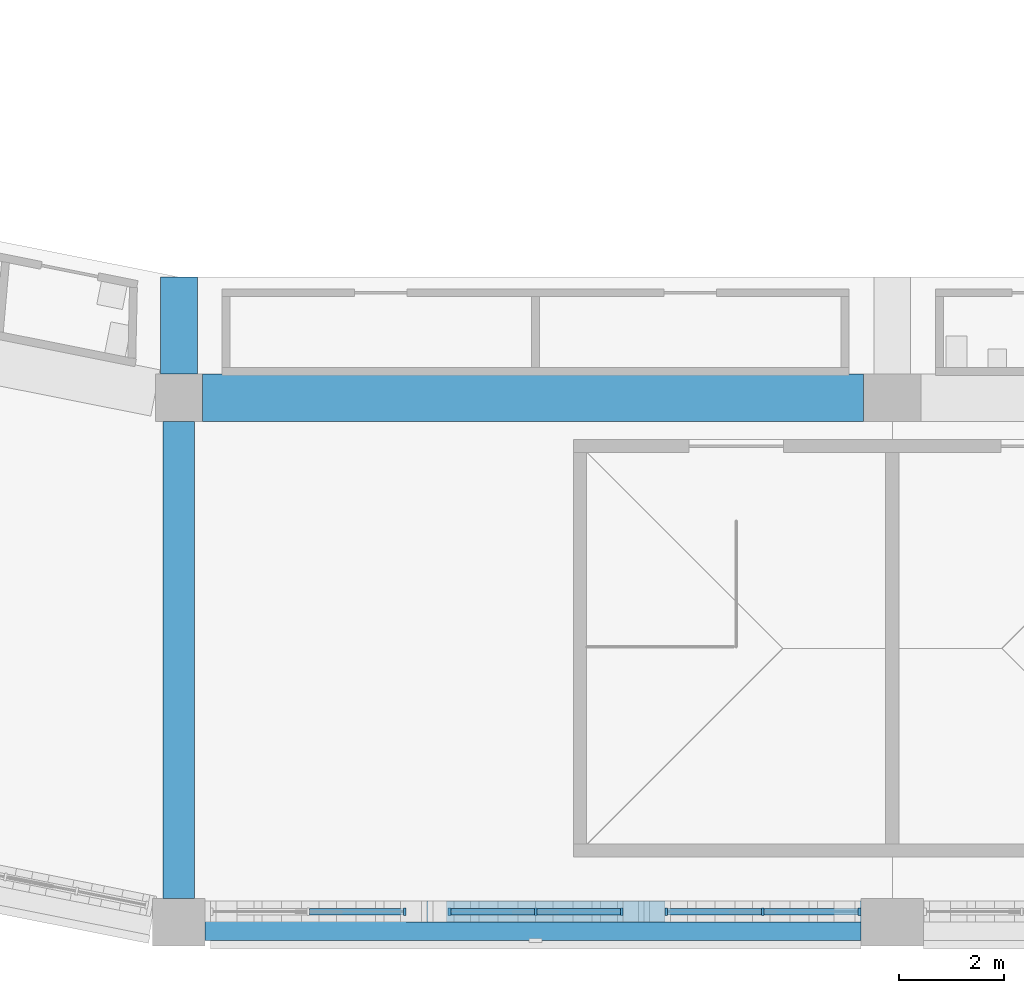
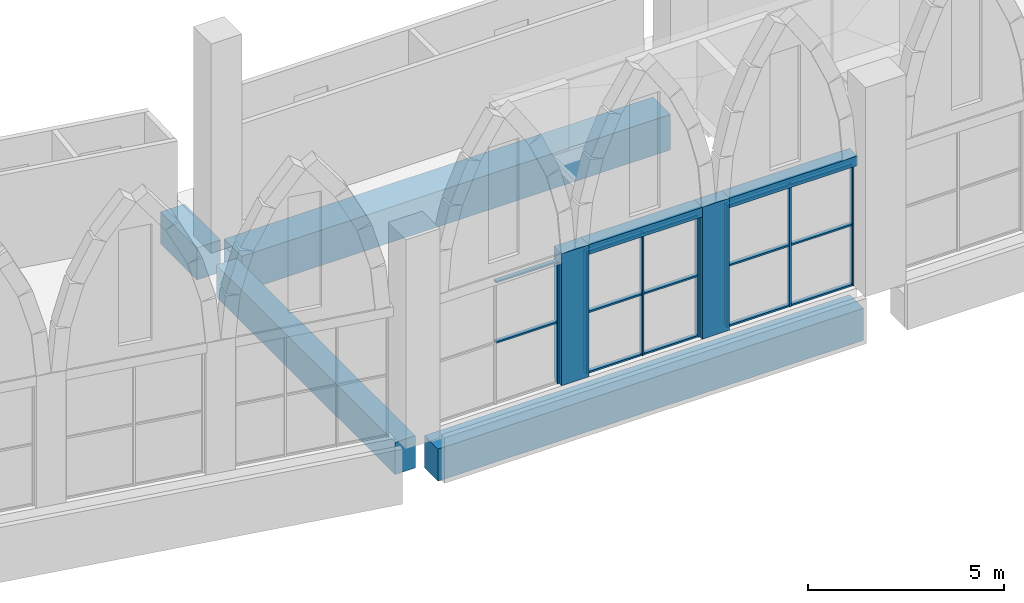
# One storey, part 6 of 130: 23 members, 6 beams, 3 elements without a shape of their own.
"""IFC4 building model written with IfcOpenShell, lengths in metres."""

from ifc_helpers import new_model, si_unit, direction, frame, origin, origin_2d, place, context, subcontext, project, spatial, rectangle, extrude, material, material_profile, profile_set, type_object, element, aggregate, save


model = new_model("IFC4")

# Units and contexts
model_context = context("Model", 3, precision=1e-05, world=origin(), true_north=direction((0.0, 1.0)))
body_context = subcontext(model_context, "Body", "Model", "MODEL_VIEW")
ifc_project = project(units=[si_unit("LENGTHUNIT", "METRE"), si_unit("AREAUNIT", "SQUARE_METRE"), si_unit("VOLUMEUNIT", "CUBIC_METRE"), si_unit("PLANEANGLEUNIT", "RADIAN"), si_unit("MASSUNIT", "GRAM", prefix="KILO")], contexts=[model_context])

# Site, building, storey
site_placement = place(None, origin())
site = spatial("IfcSite", under=ifc_project, at=site_placement, CompositionType="ELEMENT")
building_placement = place(site_placement, origin())
building = spatial("IfcBuilding", under=site, at=building_placement, Name="Ogive Plaza Stadium", CompositionType="ELEMENT")
storey_placement = place(building_placement, frame((0.0, 0.0, 22.5)))
storey = spatial("IfcBuildingStorey", under=building, at=storey_placement, Name="L05", CompositionType="ELEMENT", Elevation=22.5)

# Curtain wall, members
ifc_material_1 = material(Name="Bronze-anodised aluminium with laminated glass", Category="aluminium")
curtain_wall_type = type_object("IfcCurtainWallType", Name="Lancet curtain wall", PredefinedType="NOTDEFINED", material=ifc_material_1)
curtain_wall_1_placement = place(storey_placement, origin())
curtain_wall_1 = element("IfcCurtainWall", 1, at=curtain_wall_1_placement, inside=storey, type_object=curtain_wall_type, Name="CURTAIN WALL B16 L05", PredefinedType="NOTDEFINED")
ifc_material_2 = material(Name="Bronze-anodised aluminium", Category="aluminium")
ifc_material_profile_1 = material_profile(ifc_material_2, rectangle(XDim=0.14990234375, YDim=0.050048828125, at=origin_2d()), Name="AL 150x50")
ifc_profile_set_1 = profile_set([ifc_material_profile_1], Name="Bronze-anodised aluminium")
member_type_1 = type_object("IfcMemberType", Name="Curtain wall mullion 50x150", PredefinedType="MULLION", material=ifc_profile_set_1)
member_1_placement = place(storey_placement, frame((-21.02490234375, -102.300048828125, 0.0), z_axis=(0.0, 0.0, 1.0), x_axis=(0.0, -1.0, 0.0)))
member_1 = element("IfcMember", 2, at=member_1_placement, type_object=member_type_1, Name="CW-B16-L05.1 mullion 1", PredefinedType="MULLION", context=body_context, shape_type="SweptSolid", body=[
    extrude(rectangle(XDim=0.14990234375, YDim=0.050048828125, at=origin_2d()), origin(), (0.0, 0.0, 1.0), 3.800048828125),
])
member_2_placement = place(storey_placement, frame((-22.86669921875, -102.300048828125, 0.0), z_axis=(0.0, 0.0, 1.0), x_axis=(0.0, -1.0, 0.0)))
member_2 = element("IfcMember", 3, at=member_2_placement, type_object=member_type_1, Name="CW-B16-L05.1 mullion 2", PredefinedType="MULLION", context=body_context, shape_type="SweptSolid", body=[
    extrude(rectangle(XDim=0.14990234375, YDim=0.050048828125, at=origin_2d()), origin(), (0.0, 0.0, 1.0), 3.800048828125),
])
member_3_placement = place(storey_placement, frame((-24.708251953125, -102.300048828125, 0.0), z_axis=(0.0, 0.0, 1.0), x_axis=(0.0, -1.0, 0.0)))
member_3 = element("IfcMember", 4, at=member_3_placement, type_object=member_type_1, Name="CW-B16-L05.1 mullion 3", PredefinedType="MULLION", context=body_context, shape_type="SweptSolid", body=[
    extrude(rectangle(XDim=0.14990234375, YDim=0.050048828125, at=origin_2d()), origin(), (0.0, 0.0, 1.0), 3.800048828125),
])

curtain_wall_2_placement = place(storey_placement, origin())
curtain_wall_2 = element("IfcCurtainWall", 5, at=curtain_wall_2_placement, inside=storey, type_object=curtain_wall_type, Name="CURTAIN WALL B16 L05", PredefinedType="NOTDEFINED")
member_4_placement = place(storey_placement, frame((-25.558349609375, -102.300048828125, 0.0), z_axis=(0.0, 0.0, 1.0), x_axis=(0.0, -1.0, 0.0)))
member_4 = element("IfcMember", 6, at=member_4_placement, type_object=member_type_1, Name="CW-B16-L05.2 mullion 1", PredefinedType="MULLION", context=body_context, shape_type="SweptSolid", body=[
    extrude(rectangle(XDim=0.14990234375, YDim=0.050048828125, at=origin_2d()), origin(), (0.0, 0.0, 1.0), 3.800048828125),
])
member_5_placement = place(storey_placement, frame((-27.199951171875, -102.300048828125, 0.0), z_axis=(0.0, 0.0, 1.0), x_axis=(0.0, -1.0, 0.0)))
member_5 = element("IfcMember", 7, at=member_5_placement, type_object=member_type_1, Name="CW-B16-L05.2 mullion 2", PredefinedType="MULLION", context=body_context, shape_type="SweptSolid", body=[
    extrude(rectangle(XDim=0.14990234375, YDim=0.050048828125, at=origin_2d()), origin(), (0.0, 0.0, 1.0), 3.800048828125),
])
member_6_placement = place(storey_placement, frame((-28.841552734375, -102.300048828125, 0.0), z_axis=(0.0, 0.0, 1.0), x_axis=(0.0, -1.0, 0.0)))
member_6 = element("IfcMember", 8, at=member_6_placement, type_object=member_type_1, Name="CW-B16-L05.2 mullion 3", PredefinedType="MULLION", context=body_context, shape_type="SweptSolid", body=[
    extrude(rectangle(XDim=0.14990234375, YDim=0.050048828125, at=origin_2d()), origin(), (0.0, 0.0, 1.0), 3.800048828125),
])

# Curtain wall, member
curtain_wall_3_placement = place(storey_placement, origin())
curtain_wall_3 = element("IfcCurtainWall", 9, at=curtain_wall_3_placement, inside=storey, type_object=curtain_wall_type, Name="CURTAIN WALL B16 L05", PredefinedType="NOTDEFINED")
member_7_placement = place(storey_placement, frame((-29.691650390625, -102.300048828125, 0.0), z_axis=(0.0, 0.0, 1.0), x_axis=(0.0, -1.0, 0.0)))
member_7 = element("IfcMember", 10, at=member_7_placement, type_object=member_type_1, Name="CW-B16-L05.3 mullion 1", PredefinedType="MULLION", context=body_context, shape_type="SweptSolid", body=[
    extrude(rectangle(XDim=0.14990234375, YDim=0.050048828125, at=origin_2d()), origin(), (0.0, 0.0, 1.0), 3.800048828125),
])

# Member
ifc_material_3 = material(Name="Bronze-anodised aluminium", Category="aluminium")
ifc_material_profile_2 = material_profile(ifc_material_3, rectangle(XDim=0.1201171875, YDim=0.050048828125, at=origin_2d()), Name="AL 120x50")
ifc_profile_set_2 = profile_set([ifc_material_profile_2], Name="Bronze-anodised aluminium")
member_type_2 = type_object("IfcMemberType", Name="Curtain wall transom 50x120", PredefinedType="USERDEFINED", material=ifc_profile_set_2)
member_8_placement = place(storey_placement, frame((-21.050048828125, -102.300048828125, 0.02490234375), z_axis=(-1.0, 0.0, 0.0), x_axis=(0.0, -1.0, 0.0)))
member_8 = element("IfcMember", 11, at=member_8_placement, type_object=member_type_2, Name="CW-B16-L05.1 transom 1.1", ObjectType="TRANSOM", PredefinedType="USERDEFINED", context=body_context, shape_type="SweptSolid", body=[
    extrude(rectangle(XDim=0.1201171875, YDim=0.050048828125, at=origin_2d()), origin(), (0.0, 0.0, 1.0), 1.79150390625),
])

member_9_placement = place(storey_placement, frame((-21.050048828125, -102.300048828125, 1.89990234375), z_axis=(-1.0, 0.0, 0.0), x_axis=(0.0, -1.0, 0.0)))
member_9 = element("IfcMember", 12, at=member_9_placement, type_object=member_type_2, Name="CW-B16-L05.1 transom 1.2", ObjectType="TRANSOM", PredefinedType="USERDEFINED", context=body_context, shape_type="SweptSolid", body=[
    extrude(rectangle(XDim=0.1201171875, YDim=0.050048828125, at=origin_2d()), origin(), (0.0, 0.0, 1.0), 1.79150390625),
])

member_10_placement = place(storey_placement, frame((-21.050048828125, -102.300048828125, 3.77490234375), z_axis=(-1.0, 0.0, 0.0), x_axis=(0.0, -1.0, 0.0)))
member_10 = element("IfcMember", 13, at=member_10_placement, type_object=member_type_2, Name="CW-B16-L05.1 transom 1.3", ObjectType="TRANSOM", PredefinedType="USERDEFINED", context=body_context, shape_type="SweptSolid", body=[
    extrude(rectangle(XDim=0.1201171875, YDim=0.050048828125, at=origin_2d()), origin(), (0.0, 0.0, 1.0), 1.79150390625),
])

member_11_placement = place(storey_placement, frame((-22.8916015625, -102.300048828125, 0.02490234375), z_axis=(-1.0, 0.0, 0.0), x_axis=(0.0, -1.0, 0.0)))
member_11 = element("IfcMember", 14, at=member_11_placement, type_object=member_type_2, Name="CW-B16-L05.1 transom 2.1", ObjectType="TRANSOM", PredefinedType="USERDEFINED", context=body_context, shape_type="SweptSolid", body=[
    extrude(rectangle(XDim=0.1201171875, YDim=0.050048828125, at=origin_2d()), origin(), (0.0, 0.0, 1.0), 1.791748046875),
])

member_12_placement = place(storey_placement, frame((-22.8916015625, -102.300048828125, 1.89990234375), z_axis=(-1.0, 0.0, 0.0), x_axis=(0.0, -1.0, 0.0)))
member_12 = element("IfcMember", 15, at=member_12_placement, type_object=member_type_2, Name="CW-B16-L05.1 transom 2.2", ObjectType="TRANSOM", PredefinedType="USERDEFINED", context=body_context, shape_type="SweptSolid", body=[
    extrude(rectangle(XDim=0.1201171875, YDim=0.050048828125, at=origin_2d()), origin(), (0.0, 0.0, 1.0), 1.791748046875),
])

member_13_placement = place(storey_placement, frame((-22.8916015625, -102.300048828125, 3.77490234375), z_axis=(-1.0, 0.0, 0.0), x_axis=(0.0, -1.0, 0.0)))
member_13 = element("IfcMember", 16, at=member_13_placement, type_object=member_type_2, Name="CW-B16-L05.1 transom 2.3", ObjectType="TRANSOM", PredefinedType="USERDEFINED", context=body_context, shape_type="SweptSolid", body=[
    extrude(rectangle(XDim=0.1201171875, YDim=0.050048828125, at=origin_2d()), origin(), (0.0, 0.0, 1.0), 1.791748046875),
])

aggregate(curtain_wall_1, [member_1, member_2, member_3, member_8, member_9, member_10, member_11, member_12, member_13])

member_14_placement = place(storey_placement, frame((-25.583251953125, -102.300048828125, 0.02490234375), z_axis=(-1.0, 0.0, 0.0), x_axis=(0.0, -1.0, 0.0)))
member_14 = element("IfcMember", 17, at=member_14_placement, type_object=member_type_2, Name="CW-B16-L05.2 transom 1.1", ObjectType="TRANSOM", PredefinedType="USERDEFINED", context=body_context, shape_type="SweptSolid", body=[
    extrude(rectangle(XDim=0.1201171875, YDim=0.050048828125, at=origin_2d()), origin(), (0.0, 0.0, 1.0), 1.591796875),
])

member_15_placement = place(storey_placement, frame((-25.583251953125, -102.300048828125, 1.89990234375), z_axis=(-1.0, 0.0, 0.0), x_axis=(0.0, -1.0, 0.0)))
member_15 = element("IfcMember", 18, at=member_15_placement, type_object=member_type_2, Name="CW-B16-L05.2 transom 1.2", ObjectType="TRANSOM", PredefinedType="USERDEFINED", context=body_context, shape_type="SweptSolid", body=[
    extrude(rectangle(XDim=0.1201171875, YDim=0.050048828125, at=origin_2d()), origin(), (0.0, 0.0, 1.0), 1.591796875),
])

member_16_placement = place(storey_placement, frame((-25.583251953125, -102.300048828125, 3.77490234375), z_axis=(-1.0, 0.0, 0.0), x_axis=(0.0, -1.0, 0.0)))
member_16 = element("IfcMember", 19, at=member_16_placement, type_object=member_type_2, Name="CW-B16-L05.2 transom 1.3", ObjectType="TRANSOM", PredefinedType="USERDEFINED", context=body_context, shape_type="SweptSolid", body=[
    extrude(rectangle(XDim=0.1201171875, YDim=0.050048828125, at=origin_2d()), origin(), (0.0, 0.0, 1.0), 1.591796875),
])

member_17_placement = place(storey_placement, frame((-27.22509765625, -102.300048828125, 0.02490234375), z_axis=(-1.0, 0.0, 0.0), x_axis=(0.0, -1.0, 0.0)))
member_17 = element("IfcMember", 20, at=member_17_placement, type_object=member_type_2, Name="CW-B16-L05.2 transom 2.1", ObjectType="TRANSOM", PredefinedType="USERDEFINED", context=body_context, shape_type="SweptSolid", body=[
    extrude(rectangle(XDim=0.1201171875, YDim=0.050048828125, at=origin_2d()), origin(), (0.0, 0.0, 1.0), 1.591552734375),
])

member_18_placement = place(storey_placement, frame((-27.22509765625, -102.300048828125, 1.89990234375), z_axis=(-1.0, 0.0, 0.0), x_axis=(0.0, -1.0, 0.0)))
member_18 = element("IfcMember", 21, at=member_18_placement, type_object=member_type_2, Name="CW-B16-L05.2 transom 2.2", ObjectType="TRANSOM", PredefinedType="USERDEFINED", context=body_context, shape_type="SweptSolid", body=[
    extrude(rectangle(XDim=0.1201171875, YDim=0.050048828125, at=origin_2d()), origin(), (0.0, 0.0, 1.0), 1.591552734375),
])

member_19_placement = place(storey_placement, frame((-27.22509765625, -102.300048828125, 3.77490234375), z_axis=(-1.0, 0.0, 0.0), x_axis=(0.0, -1.0, 0.0)))
member_19 = element("IfcMember", 22, at=member_19_placement, type_object=member_type_2, Name="CW-B16-L05.2 transom 2.3", ObjectType="TRANSOM", PredefinedType="USERDEFINED", context=body_context, shape_type="SweptSolid", body=[
    extrude(rectangle(XDim=0.1201171875, YDim=0.050048828125, at=origin_2d()), origin(), (0.0, 0.0, 1.0), 1.591552734375),
])

aggregate(curtain_wall_2, [member_4, member_5, member_6, member_14, member_15, member_16, member_17, member_18, member_19])

member_20_placement = place(storey_placement, frame((-29.716552734375, -102.300048828125, 1.89990234375), z_axis=(-1.0, 0.0, 0.0), x_axis=(0.0, -1.0, 0.0)))
member_20 = element("IfcMember", 23, at=member_20_placement, type_object=member_type_2, Name="CW-B16-L05.3 transom 1.2", ObjectType="TRANSOM", PredefinedType="USERDEFINED", context=body_context, shape_type="SweptSolid", body=[
    extrude(rectangle(XDim=0.1201171875, YDim=0.050048828125, at=origin_2d()), origin(), (0.0, 0.0, 1.0), 1.791748046875),
])

member_21_placement = place(storey_placement, frame((-29.716552734375, -102.300048828125, 3.77490234375), z_axis=(-1.0, 0.0, 0.0), x_axis=(0.0, -1.0, 0.0)))
member_21 = element("IfcMember", 24, at=member_21_placement, type_object=member_type_2, Name="CW-B16-L05.3 transom 1.3", ObjectType="TRANSOM", PredefinedType="USERDEFINED", context=body_context, shape_type="SweptSolid", body=[
    extrude(rectangle(XDim=0.1201171875, YDim=0.050048828125, at=origin_2d()), origin(), (0.0, 0.0, 1.0), 1.791748046875),
])

aggregate(curtain_wall_3, [member_7, member_20, member_21])

# Members
ifc_material_4 = material(Name="Concrete C45/55 precast", Category="concrete")
ifc_material_profile_3 = material_profile(ifc_material_4, rectangle(XDim=0.39990234375, YDim=0.800048828125, at=origin_2d()), Name="RC 400x800")
ifc_profile_set_3 = profile_set([ifc_material_profile_3], Name="Concrete C45/55 precast")
member_type_3 = type_object("IfcMemberType", Name="Precast colonette 800x400", PredefinedType="POST", material=ifc_profile_set_3)
for number, where, z_axis, x_axis, name in (
    (25, (-25.13330078125, -102.300048828125, 0.0), (0.0, 0.0, 1.0), (0.0, -1.0, 0.0), "COLONETTE B16 1"),
    (26, (-29.2666015625, -102.300048828125, 0.0), (0.0, 0.0, 1.0), (0.0, -1.0, 0.0), "COLONETTE B16 2"),
):
    element("IfcMember", number, at=place(storey_placement, frame(where, z_axis=z_axis, x_axis=x_axis)), inside=storey, type_object=member_type_3, Name=name, PredefinedType="POST", context=body_context, shape_type="SweptSolid", body=[
        extrude(rectangle(XDim=0.39990234375, YDim=0.800048828125, at=origin_2d()), origin(), (0.0, 0.0, 1.0), 4.10009765625),
    ])

# Beams
ifc_material_5 = material(Name="Concrete C45/55 precast", Category="concrete")
ifc_material_profile_4 = material_profile(ifc_material_5, rectangle(XDim=0.39990234375, YDim=0.300048828125, at=origin_2d()), Name="RC 400x300")
ifc_profile_set_4 = profile_set([ifc_material_profile_4], Name="Concrete C45/55 precast")
beam_type_1 = type_object("IfcBeamType", Name="Precast tympanum lintel 400x300", PredefinedType="BEAM", material=ifc_profile_set_4)
beam_1_placement = place(storey_placement, frame((-20.969970703125, -102.300048828125, 3.949951171875), z_axis=(-1.0, 0.0, 0.0), x_axis=(0.0, -1.0, 0.0)))
element("IfcBeam", 27, at=beam_1_placement, inside=storey, type_object=beam_type_1, Name="TYMPANUM LINTEL B16 1", PredefinedType="BEAM", context=body_context, shape_type="SweptSolid", body=[
    extrude(rectangle(XDim=0.39990234375, YDim=0.300048828125, at=origin_2d()), origin(), (0.0, 0.0, 1.0), 3.79345703125),
])
beam_2_placement = place(storey_placement, frame((-25.50341796875, -102.300048828125, 3.949951171875), z_axis=(-1.0, 0.0, 0.0), x_axis=(0.0, -1.0, 0.0)))
element("IfcBeam", 28, at=beam_2_placement, inside=storey, type_object=beam_type_1, Name="TYMPANUM LINTEL B16 2", PredefinedType="BEAM", context=body_context, shape_type="SweptSolid", body=[
    extrude(rectangle(XDim=0.39990234375, YDim=0.300048828125, at=origin_2d()), origin(), (0.0, 0.0, 1.0), 3.393310546875),
])
ifc_material_6 = material(Name="Concrete C40/50", Category="concrete")
ifc_material_profile_5 = material_profile(ifc_material_6, rectangle(XDim=0.60009765625, YDim=1.0, at=origin_2d()), Name="RC 600x1000")
ifc_profile_set_5 = profile_set([ifc_material_profile_5], Name="Concrete C40/50")
beam_type_2 = type_object("IfcBeamType", Name="RC radial beam 600x1000", PredefinedType="BEAM", material=ifc_profile_set_5)
beam_3_placement = place(storey_placement, frame((-34.0, -92.949951171875, -0.909912109375), z_axis=(0.0, -1.0, 0.0), x_axis=(1.0, 0.0, 0.0)))
element("IfcBeam", 29, at=beam_3_placement, inside=storey, type_object=beam_type_2, Name="Radial beam L05 R17 F4F5", PredefinedType="BEAM", context=body_context, shape_type="SweptSolid", body=[
    extrude(rectangle(XDim=0.60009765625, YDim=1.0, at=origin_2d()), origin(), (0.0, 0.0, 1.0), 9.10009765625),
])
ifc_material_7 = material(Name="Concrete C40/50", Category="concrete")
ifc_material_profile_6 = material_profile(ifc_material_7, rectangle(XDim=0.699951171875, YDim=1.0, at=origin_2d()), Name="RC 700x1000")
ifc_profile_set_6 = profile_set([ifc_material_profile_6], Name="Concrete C40/50")
beam_type_3 = type_object("IfcBeamType", Name="RC radial beam 700x1000", PredefinedType="BEAM", material=ifc_profile_set_6)
beam_4_placement = place(storey_placement, frame((-34.0, -90.199951171875, -0.909912109375), z_axis=(0.0, -1.0, 0.0), x_axis=(1.0, 0.0, 0.0)))
element("IfcBeam", 30, at=beam_4_placement, inside=storey, type_object=beam_type_3, Name="Raker tail beam UT R17", PredefinedType="BEAM", context=body_context, shape_type="SweptSolid", body=[
    extrude(rectangle(XDim=0.699951171875, YDim=1.0, at=origin_2d()), origin(), (0.0, 0.0, 1.0), 1.85009765625),
])
ifc_material_8 = material(Name="Concrete C40/50", Category="concrete")
ifc_material_profile_7 = material_profile(ifc_material_8, rectangle(XDim=0.89990234375, YDim=1.10009765625, at=origin_2d()), Name="RC 900x1100")
ifc_profile_set_7 = profile_set([ifc_material_profile_7], Name="Concrete C40/50")
beam_type_4 = type_object("IfcBeamType", Name="RC ring beam 900x1100", PredefinedType="BEAM", material=ifc_profile_set_7)
beam_5_placement = place(storey_placement, frame((-20.949951171875, -92.5, -0.9599609375), z_axis=(-1.0, 0.0, 0.0), x_axis=(0.0, -1.0, 0.0)))
element("IfcBeam", 31, at=beam_5_placement, inside=storey, type_object=beam_type_4, Name="Ring beam F4 L05 B16", PredefinedType="BEAM", context=body_context, shape_type="SweptSolid", body=[
    extrude(rectangle(XDim=0.89990234375, YDim=1.10009765625, at=origin_2d()), origin(), (0.0, 0.0, 1.0), 12.60009765625),
])
ifc_material_9 = material(Name="Concrete C40/50", Category="concrete")
ifc_material_profile_8 = material_profile(ifc_material_9, rectangle(XDim=0.699951171875, YDim=1.0, at=origin_2d()), Name="RC 700x1000")
ifc_profile_set_8 = profile_set([ifc_material_profile_8], Name="Concrete C40/50")
beam_type_5 = type_object("IfcBeamType", Name="RC spandrel beam 700x1000", PredefinedType="SPANDREL", material=ifc_profile_set_8)
beam_6_placement = place(storey_placement, frame((-21.0, -102.5, -0.909912109375), z_axis=(-1.0, 0.0, 0.0), x_axis=(0.0, -1.0, 0.0)))
element("IfcBeam", 32, at=beam_6_placement, inside=storey, type_object=beam_type_5, Name="Ring beam F5 L05 B16", PredefinedType="SPANDREL", context=body_context, shape_type="SweptSolid", body=[
    extrude(rectangle(XDim=0.699951171875, YDim=1.0, at=origin_2d()), origin(), (0.0, 0.0, 1.0), 12.5),
])

save(model, "model.ifc")
